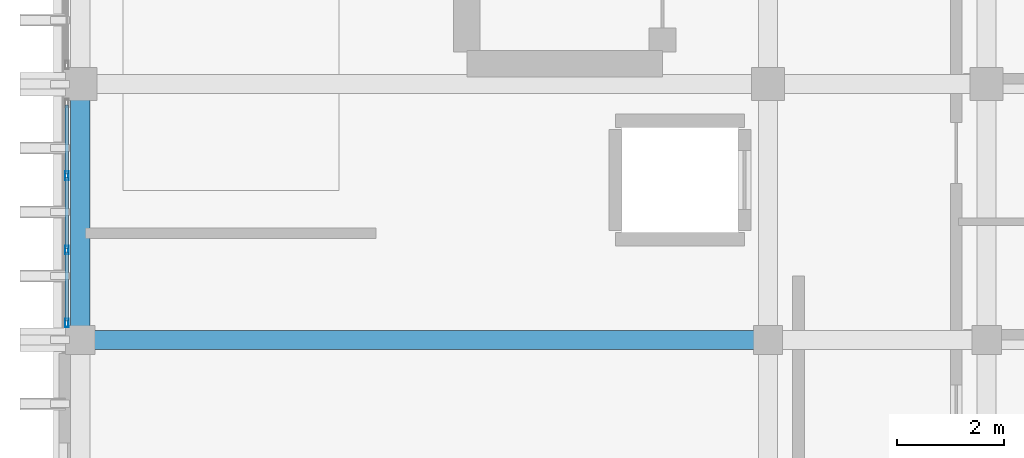
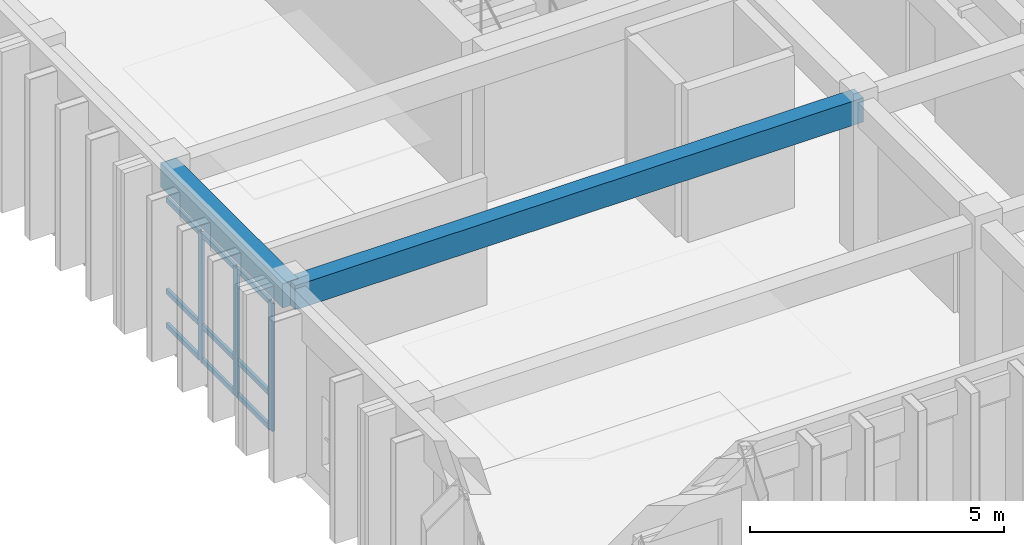
# One storey, part 4 of 50: 12 members, 2 beams, 1 element without a shape of its own.
"""IFC4 building model written with IfcOpenShell, lengths in metres."""

from ifc_helpers import new_model, si_unit, direction, frame, origin, origin_2d, place, context, subcontext, project, spatial, rectangle, hollow_rectangle, extrude, material, layer, layer_set, material_profile, profile_set, type_object, element, aggregate, save


model = new_model("IFC4")

# Units and contexts
model_context = context("Model", 3, precision=1e-05, world=origin(), true_north=direction((0.0, 1.0)))
body_context = subcontext(model_context, "Body", "Model", "MODEL_VIEW")
ifc_project = project(units=[si_unit("LENGTHUNIT", "METRE"), si_unit("AREAUNIT", "SQUARE_METRE"), si_unit("VOLUMEUNIT", "CUBIC_METRE"), si_unit("PLANEANGLEUNIT", "RADIAN"), si_unit("MASSUNIT", "GRAM", prefix="KILO")], contexts=[model_context])

# Site, building, storey
site_placement = place(None, origin())
site = spatial("IfcSite", under=ifc_project, at=site_placement, CompositionType="ELEMENT")
building_placement = place(site_placement, origin())
building = spatial("IfcBuilding", under=site, at=building_placement, Name="Nakhvara Creek Congress Hotel", CompositionType="ELEMENT")
storey_placement = place(building_placement, frame((0.0, 0.0, 42.60009765625)))
storey = spatial("IfcBuildingStorey", under=building, at=storey_placement, Name="L10", CompositionType="ELEMENT", Elevation=42.60009765625)

# Beams
ifc_material_1 = material(Name="Concrete C40/50", Category="concrete")
ifc_material_profile_1 = material_profile(ifc_material_1, rectangle(XDim=0.360107421875, YDim=0.580078125, at=origin_2d()), Name="RC-BM 360x580", Category="LoadBearing")
ifc_profile_set_1 = profile_set([ifc_material_profile_1], Name="Concrete C40/50")
beam_type = type_object("IfcBeamType", Name="BM-RC-360X580", PredefinedType="BEAM", material=ifc_profile_set_1)
beam_1_placement = place(storey_placement, frame((149.449951171875, 72.0, 3.369873046875), z_axis=(0.0, 1.0, 0.0), x_axis=(-1.0, 0.0, 0.0)))
element("IfcBeam", 1, at=beam_1_placement, inside=storey, type_object=beam_type, Name="Beam B09-L10-2634", PredefinedType="BEAM", context=body_context, shape_type="SweptSolid", body=[
    extrude(rectangle(XDim=0.360107421875, YDim=0.580078125, at=origin_2d()), origin(), (0.0, 0.0, 1.0), 4.800048828125),
])
beam_2_placement = place(storey_placement, frame((149.449951171875, 72.0, 3.369873046875), z_axis=(1.0, 0.0, 0.0), x_axis=(0.0, 1.0, 0.0)))
element("IfcBeam", 2, at=beam_2_placement, inside=storey, type_object=beam_type, Name="Beam B09-L10-2702", PredefinedType="BEAM", context=body_context, shape_type="SweptSolid", body=[
    extrude(rectangle(XDim=0.360107421875, YDim=0.580078125, at=origin_2d()), origin(), (0.0, 0.0, 1.0), 12.900146484375),
])

# Curtain wall, members
ifc_material_2 = material(Name="Bronze-anodised aluminium AW-6063-T6 and double-silver low-E glass", Category="aluminium")
ifc_layer = layer(ifc_material_2, 0.199951171875)
ifc_layer_set = layer_set([ifc_layer], Name="Bronze-anodised aluminium AW-6063-T6 and double-silver low-E glass")
curtain_wall_type = type_object("IfcCurtainWallType", Name="CW-HTL-UNIT", PredefinedType="USERDEFINED", material=ifc_layer_set)
curtain_wall_placement = place(storey_placement, origin())
curtain_wall = element("IfcCurtainWall", 3, at=curtain_wall_placement, inside=storey, type_object=curtain_wall_type, Name="Curtain Wall CW317", ObjectType="UNITISED", PredefinedType="USERDEFINED")
ifc_material_3 = material(Name="Bronze-anodised aluminium AW-6063-T6", Category="aluminium")
ifc_material_profile_2 = material_profile(ifc_material_3, hollow_rectangle(XDim=0.06494140625, YDim=0.159912109375, WallThickness=0.00390625, at=origin_2d()), Name="ALU-MULL 65x160x4", Category="LoadBearing")
ifc_profile_set_2 = profile_set([ifc_material_profile_2], Name="Bronze-anodised aluminium AW-6063-T6")
member_type_1 = type_object("IfcMemberType", Name="CW-MULL-160", PredefinedType="MULLION", material=ifc_profile_set_2)
member_1_placement = place(storey_placement, frame((149.199951171875, 72.322509765625, 0.0), z_axis=(0.0, 0.0, 1.0), x_axis=(-1.0, 0.0, 0.0)))
member_1 = element("IfcMember", 4, at=member_1_placement, type_object=member_type_1, Name="CW317 mullion 1", PredefinedType="MULLION", context=body_context, shape_type="SweptSolid", body=[
    extrude(hollow_rectangle(XDim=0.06494140625, YDim=0.159912109375, WallThickness=0.00390625, at=origin_2d()), origin(), (0.0, 0.0, 1.0), 3.072021484375),
])
member_2_placement = place(storey_placement, frame((149.199951171875, 73.68505859375, 0.0), z_axis=(0.0, 0.0, 1.0), x_axis=(-1.0, 0.0, 0.0)))
member_2 = element("IfcMember", 5, at=member_2_placement, type_object=member_type_1, Name="CW317 mullion 2", PredefinedType="MULLION", context=body_context, shape_type="SweptSolid", body=[
    extrude(hollow_rectangle(XDim=0.06494140625, YDim=0.159912109375, WallThickness=0.00390625, at=origin_2d()), origin(), (0.0, 0.0, 1.0), 3.072021484375),
])
member_3_placement = place(storey_placement, frame((149.199951171875, 75.080078125, 0.0), z_axis=(0.0, 0.0, 1.0), x_axis=(-1.0, 0.0, 0.0)))
member_3 = element("IfcMember", 6, at=member_3_placement, type_object=member_type_1, Name="CW317 mullion 3", PredefinedType="MULLION", context=body_context, shape_type="SweptSolid", body=[
    extrude(hollow_rectangle(XDim=0.06494140625, YDim=0.159912109375, WallThickness=0.00390625, at=origin_2d()), origin(), (0.0, 0.0, 1.0), 3.072021484375),
])
ifc_material_profile_3 = material_profile(ifc_material_3, hollow_rectangle(XDim=0.06494140625, YDim=0.1201171875, WallThickness=0.00390625, at=origin_2d()), Name="ALU-TRAN 65x120x4", Category="LoadBearing")
ifc_profile_set_3 = profile_set([ifc_material_profile_3], Name="Bronze-anodised aluminium AW-6063-T6")
member_type_2 = type_object("IfcMemberType", Name="CW-TRAN-120", PredefinedType="USERDEFINED", material=ifc_profile_set_3)
member_4_placement = place(storey_placement, frame((149.199951171875, 72.35498046875, 0.032470703125), z_axis=(0.0, 1.0, 0.0), x_axis=(-1.0, 0.0, 0.0)))
member_4 = element("IfcMember", 7, at=member_4_placement, type_object=member_type_2, Name="CW317 transom 1.1", ObjectType="TRANSOM", PredefinedType="USERDEFINED", context=body_context, shape_type="SweptSolid", body=[
    extrude(hollow_rectangle(XDim=0.06494140625, YDim=0.1201171875, WallThickness=0.00390625, at=origin_2d()), origin(), (0.0, 0.0, 1.0), 1.297607421875),
])
member_5_placement = place(storey_placement, frame((149.199951171875, 72.35498046875, 0.849853515625), z_axis=(0.0, 1.0, 0.0), x_axis=(-1.0, 0.0, 0.0)))
member_5 = element("IfcMember", 8, at=member_5_placement, type_object=member_type_2, Name="CW317 transom 1.2", ObjectType="TRANSOM", PredefinedType="USERDEFINED", context=body_context, shape_type="SweptSolid", body=[
    extrude(hollow_rectangle(XDim=0.06494140625, YDim=0.1201171875, WallThickness=0.00390625, at=origin_2d()), origin(), (0.0, 0.0, 1.0), 1.297607421875),
])
member_6_placement = place(storey_placement, frame((149.199951171875, 72.35498046875, 3.039306640625), z_axis=(0.0, 1.0, 0.0), x_axis=(-1.0, 0.0, 0.0)))
member_6 = element("IfcMember", 9, at=member_6_placement, type_object=member_type_2, Name="CW317 transom 1.3", ObjectType="TRANSOM", PredefinedType="USERDEFINED", context=body_context, shape_type="SweptSolid", body=[
    extrude(hollow_rectangle(XDim=0.06494140625, YDim=0.1201171875, WallThickness=0.00390625, at=origin_2d()), origin(), (0.0, 0.0, 1.0), 1.297607421875),
])
member_7_placement = place(storey_placement, frame((149.199951171875, 73.717529296875, 0.032470703125), z_axis=(0.0, 1.0, 0.0), x_axis=(-1.0, 0.0, 0.0)))
member_7 = element("IfcMember", 10, at=member_7_placement, type_object=member_type_2, Name="CW317 transom 2.1", ObjectType="TRANSOM", PredefinedType="USERDEFINED", context=body_context, shape_type="SweptSolid", body=[
    extrude(hollow_rectangle(XDim=0.06494140625, YDim=0.1201171875, WallThickness=0.00390625, at=origin_2d()), origin(), (0.0, 0.0, 1.0), 1.330078125),
])
member_8_placement = place(storey_placement, frame((149.199951171875, 73.717529296875, 0.849853515625), z_axis=(0.0, 1.0, 0.0), x_axis=(-1.0, 0.0, 0.0)))
member_8 = element("IfcMember", 11, at=member_8_placement, type_object=member_type_2, Name="CW317 transom 2.2", ObjectType="TRANSOM", PredefinedType="USERDEFINED", context=body_context, shape_type="SweptSolid", body=[
    extrude(hollow_rectangle(XDim=0.06494140625, YDim=0.1201171875, WallThickness=0.00390625, at=origin_2d()), origin(), (0.0, 0.0, 1.0), 1.330078125),
])
member_9_placement = place(storey_placement, frame((149.199951171875, 73.717529296875, 3.039306640625), z_axis=(0.0, 1.0, 0.0), x_axis=(-1.0, 0.0, 0.0)))
member_9 = element("IfcMember", 12, at=member_9_placement, type_object=member_type_2, Name="CW317 transom 2.3", ObjectType="TRANSOM", PredefinedType="USERDEFINED", context=body_context, shape_type="SweptSolid", body=[
    extrude(hollow_rectangle(XDim=0.06494140625, YDim=0.1201171875, WallThickness=0.00390625, at=origin_2d()), origin(), (0.0, 0.0, 1.0), 1.330078125),
])
member_10_placement = place(storey_placement, frame((149.199951171875, 75.112548828125, 0.032470703125), z_axis=(0.0, 1.0, 0.0), x_axis=(-1.0, 0.0, 0.0)))
member_10 = element("IfcMember", 13, at=member_10_placement, type_object=member_type_2, Name="CW317 transom 3.1", ObjectType="TRANSOM", PredefinedType="USERDEFINED", context=body_context, shape_type="SweptSolid", body=[
    extrude(hollow_rectangle(XDim=0.06494140625, YDim=0.1201171875, WallThickness=0.00390625, at=origin_2d()), origin(), (0.0, 0.0, 1.0), 1.29736328125),
])
member_11_placement = place(storey_placement, frame((149.199951171875, 75.112548828125, 0.849853515625), z_axis=(0.0, 1.0, 0.0), x_axis=(-1.0, 0.0, 0.0)))
member_11 = element("IfcMember", 14, at=member_11_placement, type_object=member_type_2, Name="CW317 transom 3.2", ObjectType="TRANSOM", PredefinedType="USERDEFINED", context=body_context, shape_type="SweptSolid", body=[
    extrude(hollow_rectangle(XDim=0.06494140625, YDim=0.1201171875, WallThickness=0.00390625, at=origin_2d()), origin(), (0.0, 0.0, 1.0), 1.29736328125),
])
member_12_placement = place(storey_placement, frame((149.199951171875, 75.112548828125, 3.039306640625), z_axis=(0.0, 1.0, 0.0), x_axis=(-1.0, 0.0, 0.0)))
member_12 = element("IfcMember", 15, at=member_12_placement, type_object=member_type_2, Name="CW317 transom 3.3", ObjectType="TRANSOM", PredefinedType="USERDEFINED", context=body_context, shape_type="SweptSolid", body=[
    extrude(hollow_rectangle(XDim=0.06494140625, YDim=0.1201171875, WallThickness=0.00390625, at=origin_2d()), origin(), (0.0, 0.0, 1.0), 1.29736328125),
])
aggregate(curtain_wall, [member_1, member_2, member_3, member_4, member_5, member_6, member_7, member_8, member_9, member_10, member_11, member_12])

save(model, "model.ifc")
